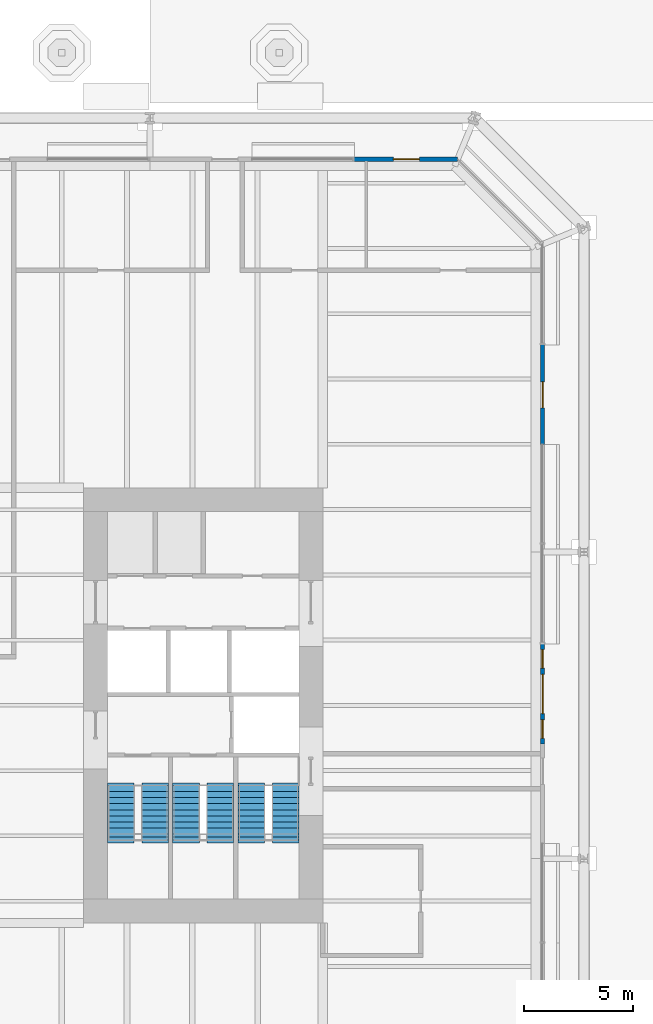
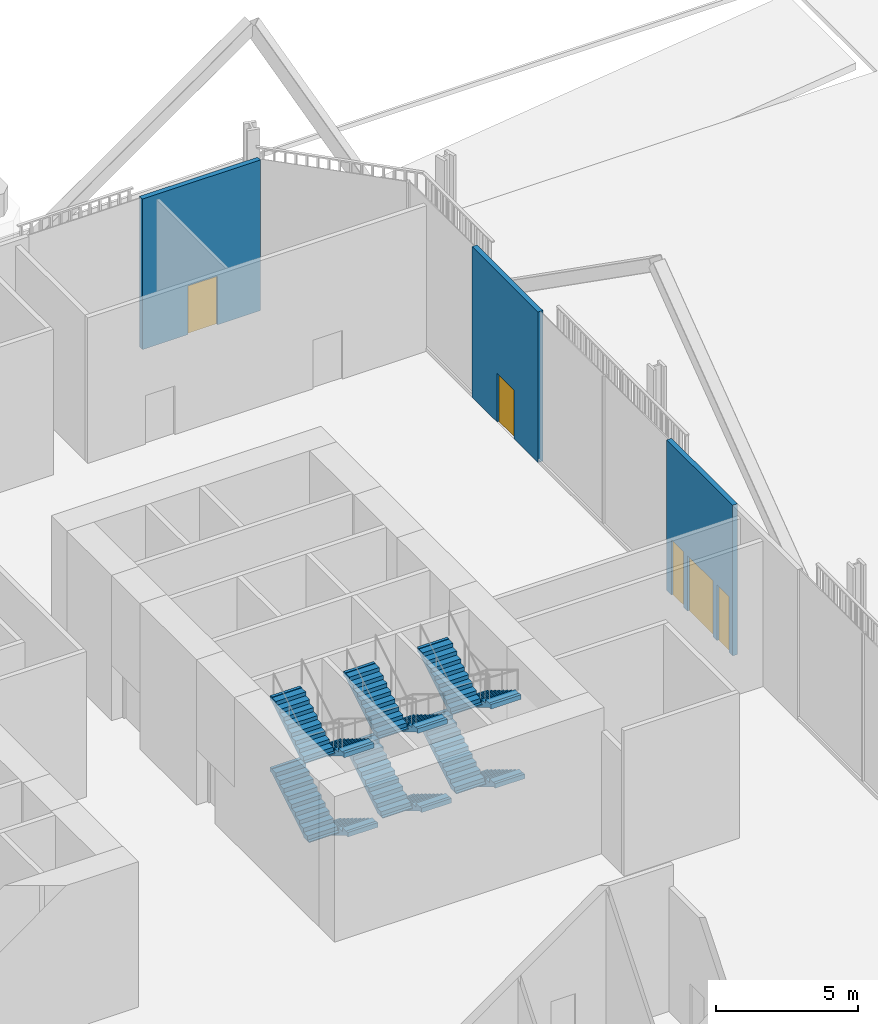
# One storey, part 18 of 28: 12 stair flights, 3 doors, 3 walls, 2 windows, 5 openings, 3 elements without a shape of their own.
"""IFC4 building model written with IfcOpenShell, lengths in metres."""

from ifc_helpers import new_model, si_unit, direction, frame, frame_2d, origin, place, context, subcontext, project, spatial, polyline, rectangle, outline, extrude, material, layer, layer_set, type_object, element, fill, aggregate, save


model = new_model("IFC4")

# Units and contexts
model_context = context("Model", 3, precision=1e-05, world=origin(), true_north=direction((0.0, 1.0)))
body_context = subcontext(model_context, "Body", "Model", "MODEL_VIEW")
ifc_project = project(units=[si_unit("LENGTHUNIT", "METRE"), si_unit("AREAUNIT", "SQUARE_METRE"), si_unit("VOLUMEUNIT", "CUBIC_METRE"), si_unit("PLANEANGLEUNIT", "RADIAN"), si_unit("MASSUNIT", "GRAM", prefix="KILO")], contexts=[model_context])

# Site, building, storey
site_placement = place(None, origin())
site = spatial("IfcSite", under=ifc_project, at=site_placement, CompositionType="ELEMENT")
building_placement = place(site_placement, origin())
building = spatial("IfcBuilding", under=site, at=building_placement, Name="Millrace Tower", CompositionType="ELEMENT")
storey_placement = place(building_placement, origin())
storey = spatial("IfcBuildingStorey", under=building, at=storey_placement, Name="L01", CompositionType="ELEMENT", Elevation=0.0)

# Wall, openings, windows, door
ifc_material_1 = material(Name="Aluminium framed glazing", Category="aluminium")
ifc_layer = layer(ifc_material_1, 0.199951171875)
ifc_layer_set = layer_set([ifc_layer], Name="Aluminium framed glazing")
wall_type = type_object("IfcWallType", Name="Entrance infill wall 200 thick", PredefinedType="STANDARD", material=ifc_layer_set)
wall_1_placement = place(storey_placement, frame((25.10009765625, -1.7666015625, 0.0), z_axis=(0.0, 0.0, 1.0), x_axis=(0.0, 1.0, 0.0)))
wall_1 = element("IfcWall", 1, at=wall_1_placement, inside=storey, type_object=wall_type, Name="Entrance infill wall AW1-F02 11", PredefinedType="STANDARD", context=body_context, shape_type="SweptSolid", body=[
    extrude(rectangle(XDim=4.658203125, YDim=0.199951171875, at=frame_2d((2.3291015625, 0.0))), origin(), (0.0, 0.0, 1.0), 6.5),
])
opening_1_placement = place(wall_1_placement, frame((1.3916015625, 0.0, 0.0)))
opening_1 = element("IfcOpeningElement", 2, at=opening_1_placement, cuts=wall_1, Name="Opening 01-X006", PredefinedType="OPENING", context=body_context, shape_type="SweptSolid", body=[
    extrude(rectangle(XDim=1.800048828125, YDim=2.39990234375, at=frame_2d((0.89990234375, 1.199951171875))), frame((0.0, 0.10986328125, 0.0), z_axis=(0.0, -1.0, 0.0), x_axis=(1.0, 0.0, 0.0)), (0.0, 0.0, 1.0), 0.219970703125),
])
opening_2_placement = place(wall_1_placement, frame((0.25, 0.0, 0.0)))
opening_2 = element("IfcOpeningElement", 3, at=opening_2_placement, cuts=wall_1, Name="Opening WN1", PredefinedType="OPENING", context=body_context, shape_type="SweptSolid", body=[
    extrude(rectangle(XDim=0.85009765625, YDim=2.39990234375, at=frame_2d((0.425048828125, 1.199951171875))), frame((0.0, 0.10986328125, 0.0), z_axis=(0.0, -1.0, 0.0), x_axis=(1.0, 0.0, 0.0)), (0.0, 0.0, 1.0), 0.219970703125),
])
opening_3_placement = place(wall_1_placement, frame((3.4833984375, 0.0, 0.0)))
opening_3 = element("IfcOpeningElement", 4, at=opening_3_placement, cuts=wall_1, Name="Opening WN1", PredefinedType="OPENING", context=body_context, shape_type="SweptSolid", body=[
    extrude(rectangle(XDim=0.85009765625, YDim=2.39990234375, at=frame_2d((0.425048828125, 1.199951171875))), frame((0.0, 0.10986328125, 0.0), z_axis=(0.0, -1.0, 0.0), x_axis=(1.0, 0.0, 0.0)), (0.0, 0.0, 1.0), 0.219970703125),
])
ifc_material_2 = material(Name="Aluminium and laminated glass", Category="aluminium")
window_type = type_object("IfcWindowType", Name="Entrance sidelight window 850 x 2400", PartitioningType="SINGLE_PANEL", PredefinedType="WINDOW", material=ifc_material_2)
window_1_placement = place(opening_2_placement, origin())
window_1 = element("IfcWindow", 5, at=window_1_placement, inside=storey, type_object=window_type, Name="Entrance sidelight window AW1-F02.11 W", OverallHeight=2.39990234375, OverallWidth=0.85009765625, PartitioningType="SINGLE_PANEL", PredefinedType="WINDOW", context=body_context, shape_type="SweptSolid", body=[
    extrude(rectangle(XDim=0.85009765625, YDim=2.39990234375, at=frame_2d((0.425048828125, 1.199951171875))), frame((0.0, 0.030029296875, 0.0), z_axis=(0.0, -1.0, 0.0), x_axis=(1.0, 0.0, 0.0)), (0.0, 0.0, 1.0), 0.06005859375),
])
fill(opening_2, window_1)
window_2_placement = place(opening_3_placement, origin())
window_2 = element("IfcWindow", 6, at=window_2_placement, inside=storey, type_object=window_type, Name="Entrance sidelight window AW1-F02.11 E", OverallHeight=2.39990234375, OverallWidth=0.85009765625, PartitioningType="SINGLE_PANEL", PredefinedType="WINDOW", context=body_context, shape_type="SweptSolid", body=[
    extrude(rectangle(XDim=0.85009765625, YDim=2.39990234375, at=frame_2d((0.425048828125, 1.199951171875))), frame((0.0, 0.030029296875, 0.0), z_axis=(0.0, -1.0, 0.0), x_axis=(1.0, 0.0, 0.0)), (0.0, 0.0, 1.0), 0.06005859375),
])
fill(opening_3, window_2)
ifc_material_3 = material(Name="Aluminium and glass", Category="aluminium")
door_type_1 = type_object("IfcDoorType", Name="Main entrance double door", OperationType="DOUBLE_DOOR_DOUBLE_SWING", PredefinedType="DOOR", material=ifc_material_3)
door_1_placement = place(opening_1_placement, frame((1.800048828125, 0.0, 0.0), z_axis=(0.0, 0.0, 1.0), x_axis=(-1.0, 0.0, 0.0)))
door_1 = element("IfcDoor", 7, at=door_1_placement, inside=storey, type_object=door_type_1, Name="01-X006", OperationType="DOUBLE_DOOR_DOUBLE_SWING", OverallHeight=2.39990234375, OverallWidth=1.800048828125, PredefinedType="DOOR", context=body_context, shape_type="SweptSolid", body=[
    extrude(rectangle(XDim=1.800048828125, YDim=2.39990234375, at=frame_2d((0.89990234375, 1.199951171875))), frame((0.0, 0.02490234375, 0.0), z_axis=(0.0, -1.0, 0.0), x_axis=(1.0, 0.0, 0.0)), (0.0, 0.0, 1.0), 0.050048828125),
])
fill(opening_1, door_1)

# Wall, opening, door
wall_2_placement = place(storey_placement, frame((25.10009765625, 11.9833984375, 0.0), z_axis=(0.0, 0.0, 1.0), x_axis=(0.0, 1.0, 0.0)))
wall_2 = element("IfcWall", 8, at=wall_2_placement, inside=storey, type_object=wall_type, Name="Entrance infill wall AW1-F02 14", PredefinedType="STANDARD", context=body_context, shape_type="SweptSolid", body=[
    extrude(rectangle(XDim=4.658203125, YDim=0.199951171875, at=frame_2d((2.3291015625, 0.0))), origin(), (0.0, 0.0, 1.0), 6.5),
])
opening_4_placement = place(wall_2_placement, frame((1.691650390625, 0.0, 0.0)))
opening_4 = element("IfcOpeningElement", 9, at=opening_4_placement, cuts=wall_2, Name="Opening 01-X007", PredefinedType="OPENING", context=body_context, shape_type="SweptSolid", body=[
    extrude(rectangle(XDim=1.199951171875, YDim=2.10009765625, at=frame_2d((0.60009765625, 1.050048828125))), frame((0.0, 0.10986328125, 0.0), z_axis=(0.0, -1.0, 0.0), x_axis=(1.0, 0.0, 0.0)), (0.0, 0.0, 1.0), 0.219970703125),
])
ifc_material_4 = material(Name="Steel", Category="steel")
door_type_2 = type_object("IfcDoorType", Name="Exit door to the plaza", OperationType="SINGLE_SWING_RIGHT", PredefinedType="DOOR", material=ifc_material_4)
door_2_placement = place(opening_4_placement, frame((1.199951171875, 0.0, 0.0), z_axis=(0.0, 0.0, 1.0), x_axis=(-1.0, 0.0, 0.0)))
door_2 = element("IfcDoor", 10, at=door_2_placement, inside=storey, type_object=door_type_2, Name="01-X007", OperationType="SINGLE_SWING_RIGHT", OverallHeight=2.10009765625, OverallWidth=1.199951171875, PredefinedType="DOOR", context=body_context, shape_type="SweptSolid", body=[
    extrude(rectangle(XDim=1.199951171875, YDim=2.10009765625, at=frame_2d((0.60009765625, 1.050048828125))), frame((0.0, 0.02490234375, 0.0), z_axis=(0.0, -1.0, 0.0), x_axis=(1.0, 0.0, 0.0)), (0.0, 0.0, 1.0), 0.050048828125),
])
fill(opening_4, door_2)

wall_3_placement = place(storey_placement, frame((21.19140625, 25.10009765625, 0.0), z_axis=(0.0, 0.0, 1.0), x_axis=(-1.0, 0.0, 0.0)))
wall_3 = element("IfcWall", 11, at=wall_3_placement, inside=storey, type_object=wall_type, Name="Entrance infill wall AW1-F04 1", PredefinedType="STANDARD", context=body_context, shape_type="SweptSolid", body=[
    extrude(rectangle(XDim=4.81640625, YDim=0.199951171875, at=frame_2d((2.408203125, 0.0))), origin(), (0.0, 0.0, 1.0), 6.5),
])
opening_5_placement = place(wall_3_placement, frame((1.75, 0.0, 0.0)))
opening_5 = element("IfcOpeningElement", 12, at=opening_5_placement, cuts=wall_3, Name="Opening 01-X008", PredefinedType="OPENING", context=body_context, shape_type="SweptSolid", body=[
    extrude(rectangle(XDim=1.199951171875, YDim=2.10009765625, at=frame_2d((0.60009765625, 1.050048828125))), frame((0.0, 0.10986328125, 0.0), z_axis=(0.0, -1.0, 0.0), x_axis=(1.0, 0.0, 0.0)), (0.0, 0.0, 1.0), 0.219970703125),
])
ifc_material_5 = material(Name="Steel", Category="steel")
door_type_3 = type_object("IfcDoorType", Name="Service exit door", OperationType="SINGLE_SWING_RIGHT", PredefinedType="DOOR", material=ifc_material_5)
door_3_placement = place(opening_5_placement, frame((1.199951171875, 0.0, 0.0), z_axis=(0.0, 0.0, 1.0), x_axis=(-1.0, 0.0, 0.0)))
door_3 = element("IfcDoor", 13, at=door_3_placement, inside=storey, type_object=door_type_3, Name="01-X008", OperationType="SINGLE_SWING_RIGHT", OverallHeight=2.10009765625, OverallWidth=1.199951171875, PredefinedType="DOOR", context=body_context, shape_type="SweptSolid", body=[
    extrude(rectangle(XDim=1.199951171875, YDim=2.10009765625, at=frame_2d((0.60009765625, 1.050048828125))), frame((0.0, 0.02490234375, 0.0), z_axis=(0.0, -1.0, 0.0), x_axis=(1.0, 0.0, 0.0)), (0.0, 0.0, 1.0), 0.050048828125),
])
fill(opening_5, door_3)

# Stair, stair flights
ifc_material_6 = material(Name="Concrete C35", Category="concrete")
stair_type = type_object("IfcStairType", Name="Exit stair", PredefinedType="HALF_TURN_STAIR", material=ifc_material_6)
placement = place(storey_placement, origin())
stair_1 = element("IfcStair", 14, at=placement, inside=storey, type_object=stair_type, Name="Stair 1 E L01", PredefinedType="HALF_TURN_STAIR")
ifc_material_7 = material(Name="Concrete C35", Category="concrete")
stair_flight_type = type_object("IfcStairFlightType", Name="Exit stair flight", PredefinedType="STRAIGHT", material=ifc_material_7)
stair_flight_1_placement = place(storey_placement, frame((13.2900390625, -3.679931640625, 0.0), z_axis=(0.0, 0.0, 1.0), x_axis=(0.0, -1.0, 0.0)))
stair_flight_1 = element("IfcStairFlight", 15, at=stair_flight_1_placement, type_object=stair_flight_type, Name="ST12 flight 1", NumberOfRisers=10, NumberOfTreads=9, PredefinedType="STRAIGHT", RiserHeight=0.171052632, TreadLength=0.28, context=body_context, shape_type="SweptSolid", body=[
    extrude(outline(polyline([(-0.1201171875, -0.0400390625), (-0.1201171875, 0.0), (0.0, 0.0), (0.0, 0.171142578125), (0.280029296875, 0.171142578125), (0.280029296875, 0.342041015625), (0.56005859375, 0.342041015625), (0.56005859375, 0.51318359375), (0.840087890625, 0.51318359375), (0.840087890625, 0.684326171875), (1.1201171875, 0.684326171875), (1.1201171875, 0.855224609375), (1.39990234375, 0.855224609375), (1.39990234375, 1.0263671875), (1.679931640625, 1.0263671875), (1.679931640625, 1.197265625), (1.9599609375, 1.197265625), (1.9599609375, 1.368408203125), (2.239990234375, 1.368408203125), (2.239990234375, 1.53955078125), (2.52001953125, 1.53955078125), (2.52001953125, 1.5595703125), (2.639892578125, 1.5595703125), (2.639892578125, 1.36376953125), (2.52001953125, 1.36376953125), (0.28759765625, 0.0), (0.28759765625, -0.0400390625), (-0.1201171875, -0.0400390625)])), frame((0.0, 0.60986328125, 0.0), z_axis=(0.0, -1.0, 0.0), x_axis=(1.0, 0.0, 0.0)), (0.0, 0.0, 1.0), 1.219970703125),
])
stair_flight_2_placement = place(storey_placement, frame((11.7099609375, -6.199951171875, 1.71044921875), z_axis=(0.0, 0.0, 1.0), x_axis=(0.0, 1.0, 0.0)))
stair_flight_2 = element("IfcStairFlight", 16, at=stair_flight_2_placement, type_object=stair_flight_type, Name="ST12 flight 2", NumberOfRisers=10, NumberOfTreads=9, PredefinedType="STRAIGHT", RiserHeight=0.171052632, TreadLength=0.28, context=body_context, shape_type="SweptSolid", body=[
    extrude(outline(polyline([(-0.1201171875, -0.0400390625), (-0.1201171875, 0.0), (0.0, 0.0), (0.0, 0.171142578125), (0.280029296875, 0.171142578125), (0.280029296875, 0.342041015625), (0.56005859375, 0.342041015625), (0.56005859375, 0.51318359375), (0.840087890625, 0.51318359375), (0.840087890625, 0.684326171875), (1.1201171875, 0.684326171875), (1.1201171875, 0.855224609375), (1.39990234375, 0.855224609375), (1.39990234375, 1.0263671875), (1.679931640625, 1.0263671875), (1.679931640625, 1.197265625), (1.9599609375, 1.197265625), (1.9599609375, 1.368408203125), (2.239990234375, 1.368408203125), (2.239990234375, 1.53955078125), (2.52001953125, 1.53955078125), (2.52001953125, 1.5595703125), (2.639892578125, 1.5595703125), (2.639892578125, 1.36376953125), (2.52001953125, 1.36376953125), (0.28759765625, 0.0), (0.28759765625, -0.0400390625), (-0.1201171875, -0.0400390625)])), frame((0.0, 0.60986328125, 0.0), z_axis=(0.0, -1.0, 0.0), x_axis=(1.0, 0.0, 0.0)), (0.0, 0.0, 1.0), 1.219970703125),
])
stair_flight_3_placement = place(storey_placement, frame((13.2900390625, -3.679931640625, 3.421142578125), z_axis=(0.0, 0.0, 1.0), x_axis=(0.0, -1.0, 0.0)))
stair_flight_3 = element("IfcStairFlight", 17, at=stair_flight_3_placement, type_object=stair_flight_type, Name="ST12 flight 3", NumberOfRisers=9, NumberOfTreads=8, PredefinedType="STRAIGHT", RiserHeight=0.171052632, TreadLength=0.28, context=body_context, shape_type="SweptSolid", body=[
    extrude(outline(polyline([(-0.1201171875, -0.0400390625), (-0.1201171875, 0.0), (0.0, 0.0), (0.0, 0.171142578125), (0.280029296875, 0.171142578125), (0.280029296875, 0.342041015625), (0.56005859375, 0.342041015625), (0.56005859375, 0.51318359375), (0.840087890625, 0.51318359375), (0.840087890625, 0.684326171875), (1.1201171875, 0.684326171875), (1.1201171875, 0.855224609375), (1.39990234375, 0.855224609375), (1.39990234375, 1.0263671875), (1.679931640625, 1.0263671875), (1.679931640625, 1.197265625), (1.9599609375, 1.197265625), (1.9599609375, 1.368408203125), (2.239990234375, 1.368408203125), (2.239990234375, 1.388427734375), (2.360107421875, 1.388427734375), (2.360107421875, 1.19287109375), (2.239990234375, 1.19287109375), (0.28759765625, 0.0), (0.28759765625, -0.0400390625), (-0.1201171875, -0.0400390625)])), frame((0.0, 0.60986328125, 0.0), z_axis=(0.0, -1.0, 0.0), x_axis=(1.0, 0.0, 0.0)), (0.0, 0.0, 1.0), 1.219970703125),
])
stair_flight_4_placement = place(storey_placement, frame((11.7099609375, -5.919921875, 4.96044921875), z_axis=(0.0, 0.0, 1.0), x_axis=(0.0, 1.0, 0.0)))
stair_flight_4 = element("IfcStairFlight", 18, at=stair_flight_4_placement, type_object=stair_flight_type, Name="ST12 flight 4", NumberOfRisers=9, NumberOfTreads=8, PredefinedType="STRAIGHT", RiserHeight=0.171052632, TreadLength=0.28, context=body_context, shape_type="SweptSolid", body=[
    extrude(outline(polyline([(-0.1201171875, -0.0400390625), (-0.1201171875, 0.0), (0.0, 0.0), (0.0, 0.171142578125), (0.280029296875, 0.171142578125), (0.280029296875, 0.342041015625), (0.56005859375, 0.342041015625), (0.56005859375, 0.51318359375), (0.840087890625, 0.51318359375), (0.840087890625, 0.684326171875), (1.1201171875, 0.684326171875), (1.1201171875, 0.855224609375), (1.39990234375, 0.855224609375), (1.39990234375, 1.0263671875), (1.679931640625, 1.0263671875), (1.679931640625, 1.197265625), (1.9599609375, 1.197265625), (1.9599609375, 1.368408203125), (2.239990234375, 1.368408203125), (2.239990234375, 1.388427734375), (2.360107421875, 1.388427734375), (2.360107421875, 1.19287109375), (2.239990234375, 1.19287109375), (0.28759765625, 0.0), (0.28759765625, -0.0400390625), (-0.1201171875, -0.0400390625)])), frame((0.0, 0.60986328125, 0.0), z_axis=(0.0, -1.0, 0.0), x_axis=(1.0, 0.0, 0.0)), (0.0, 0.0, 1.0), 1.219970703125),
])
aggregate(stair_1, [stair_flight_1, stair_flight_2, stair_flight_3, stair_flight_4])

stair_2 = element("IfcStair", 19, at=placement, inside=storey, type_object=stair_type, Name="Stair 2 E L01", PredefinedType="HALF_TURN_STAIR")
stair_flight_5_placement = place(storey_placement, frame((10.2900390625, -3.679931640625, 0.0), z_axis=(0.0, 0.0, 1.0), x_axis=(0.0, -1.0, 0.0)))
stair_flight_5 = element("IfcStairFlight", 20, at=stair_flight_5_placement, type_object=stair_flight_type, Name="ST12 flight 1", NumberOfRisers=10, NumberOfTreads=9, PredefinedType="STRAIGHT", RiserHeight=0.171052632, TreadLength=0.28, context=body_context, shape_type="SweptSolid", body=[
    extrude(outline(polyline([(-0.1201171875, -0.0400390625), (-0.1201171875, 0.0), (0.0, 0.0), (0.0, 0.171142578125), (0.280029296875, 0.171142578125), (0.280029296875, 0.342041015625), (0.56005859375, 0.342041015625), (0.56005859375, 0.51318359375), (0.840087890625, 0.51318359375), (0.840087890625, 0.684326171875), (1.1201171875, 0.684326171875), (1.1201171875, 0.855224609375), (1.39990234375, 0.855224609375), (1.39990234375, 1.0263671875), (1.679931640625, 1.0263671875), (1.679931640625, 1.197265625), (1.9599609375, 1.197265625), (1.9599609375, 1.368408203125), (2.239990234375, 1.368408203125), (2.239990234375, 1.53955078125), (2.52001953125, 1.53955078125), (2.52001953125, 1.5595703125), (2.639892578125, 1.5595703125), (2.639892578125, 1.36376953125), (2.52001953125, 1.36376953125), (0.28759765625, 0.0), (0.28759765625, -0.0400390625), (-0.1201171875, -0.0400390625)])), frame((0.0, 0.60986328125, 0.0), z_axis=(0.0, -1.0, 0.0), x_axis=(1.0, 0.0, 0.0)), (0.0, 0.0, 1.0), 1.219970703125),
])
stair_flight_6_placement = place(storey_placement, frame((8.7099609375, -6.199951171875, 1.71044921875), z_axis=(0.0, 0.0, 1.0), x_axis=(0.0, 1.0, 0.0)))
stair_flight_6 = element("IfcStairFlight", 21, at=stair_flight_6_placement, type_object=stair_flight_type, Name="ST12 flight 2", NumberOfRisers=10, NumberOfTreads=9, PredefinedType="STRAIGHT", RiserHeight=0.171052632, TreadLength=0.28, context=body_context, shape_type="SweptSolid", body=[
    extrude(outline(polyline([(-0.1201171875, -0.0400390625), (-0.1201171875, 0.0), (0.0, 0.0), (0.0, 0.171142578125), (0.280029296875, 0.171142578125), (0.280029296875, 0.342041015625), (0.56005859375, 0.342041015625), (0.56005859375, 0.51318359375), (0.840087890625, 0.51318359375), (0.840087890625, 0.684326171875), (1.1201171875, 0.684326171875), (1.1201171875, 0.855224609375), (1.39990234375, 0.855224609375), (1.39990234375, 1.0263671875), (1.679931640625, 1.0263671875), (1.679931640625, 1.197265625), (1.9599609375, 1.197265625), (1.9599609375, 1.368408203125), (2.239990234375, 1.368408203125), (2.239990234375, 1.53955078125), (2.52001953125, 1.53955078125), (2.52001953125, 1.5595703125), (2.639892578125, 1.5595703125), (2.639892578125, 1.36376953125), (2.52001953125, 1.36376953125), (0.28759765625, 0.0), (0.28759765625, -0.0400390625), (-0.1201171875, -0.0400390625)])), frame((0.0, 0.60986328125, 0.0), z_axis=(0.0, -1.0, 0.0), x_axis=(1.0, 0.0, 0.0)), (0.0, 0.0, 1.0), 1.219970703125),
])
stair_flight_7_placement = place(storey_placement, frame((10.2900390625, -3.679931640625, 3.421142578125), z_axis=(0.0, 0.0, 1.0), x_axis=(0.0, -1.0, 0.0)))
stair_flight_7 = element("IfcStairFlight", 22, at=stair_flight_7_placement, type_object=stair_flight_type, Name="ST12 flight 3", NumberOfRisers=9, NumberOfTreads=8, PredefinedType="STRAIGHT", RiserHeight=0.171052632, TreadLength=0.28, context=body_context, shape_type="SweptSolid", body=[
    extrude(outline(polyline([(-0.1201171875, -0.0400390625), (-0.1201171875, 0.0), (0.0, 0.0), (0.0, 0.171142578125), (0.280029296875, 0.171142578125), (0.280029296875, 0.342041015625), (0.56005859375, 0.342041015625), (0.56005859375, 0.51318359375), (0.840087890625, 0.51318359375), (0.840087890625, 0.684326171875), (1.1201171875, 0.684326171875), (1.1201171875, 0.855224609375), (1.39990234375, 0.855224609375), (1.39990234375, 1.0263671875), (1.679931640625, 1.0263671875), (1.679931640625, 1.197265625), (1.9599609375, 1.197265625), (1.9599609375, 1.368408203125), (2.239990234375, 1.368408203125), (2.239990234375, 1.388427734375), (2.360107421875, 1.388427734375), (2.360107421875, 1.19287109375), (2.239990234375, 1.19287109375), (0.28759765625, 0.0), (0.28759765625, -0.0400390625), (-0.1201171875, -0.0400390625)])), frame((0.0, 0.60986328125, 0.0), z_axis=(0.0, -1.0, 0.0), x_axis=(1.0, 0.0, 0.0)), (0.0, 0.0, 1.0), 1.219970703125),
])
stair_flight_8_placement = place(storey_placement, frame((8.7099609375, -5.919921875, 4.96044921875), z_axis=(0.0, 0.0, 1.0), x_axis=(0.0, 1.0, 0.0)))
stair_flight_8 = element("IfcStairFlight", 23, at=stair_flight_8_placement, type_object=stair_flight_type, Name="ST12 flight 4", NumberOfRisers=9, NumberOfTreads=8, PredefinedType="STRAIGHT", RiserHeight=0.171052632, TreadLength=0.28, context=body_context, shape_type="SweptSolid", body=[
    extrude(outline(polyline([(-0.1201171875, -0.0400390625), (-0.1201171875, 0.0), (0.0, 0.0), (0.0, 0.171142578125), (0.280029296875, 0.171142578125), (0.280029296875, 0.342041015625), (0.56005859375, 0.342041015625), (0.56005859375, 0.51318359375), (0.840087890625, 0.51318359375), (0.840087890625, 0.684326171875), (1.1201171875, 0.684326171875), (1.1201171875, 0.855224609375), (1.39990234375, 0.855224609375), (1.39990234375, 1.0263671875), (1.679931640625, 1.0263671875), (1.679931640625, 1.197265625), (1.9599609375, 1.197265625), (1.9599609375, 1.368408203125), (2.239990234375, 1.368408203125), (2.239990234375, 1.388427734375), (2.360107421875, 1.388427734375), (2.360107421875, 1.19287109375), (2.239990234375, 1.19287109375), (0.28759765625, 0.0), (0.28759765625, -0.0400390625), (-0.1201171875, -0.0400390625)])), frame((0.0, 0.60986328125, 0.0), z_axis=(0.0, -1.0, 0.0), x_axis=(1.0, 0.0, 0.0)), (0.0, 0.0, 1.0), 1.219970703125),
])
aggregate(stair_2, [stair_flight_5, stair_flight_6, stair_flight_7, stair_flight_8])

stair_3 = element("IfcStair", 24, at=placement, inside=storey, type_object=stair_type, Name="Stair 3 E L01", PredefinedType="HALF_TURN_STAIR")
stair_flight_9_placement = place(storey_placement, frame((7.2900390625, -3.679931640625, 0.0), z_axis=(0.0, 0.0, 1.0), x_axis=(0.0, -1.0, 0.0)))
stair_flight_9 = element("IfcStairFlight", 25, at=stair_flight_9_placement, type_object=stair_flight_type, Name="ST12 flight 1", NumberOfRisers=10, NumberOfTreads=9, PredefinedType="STRAIGHT", RiserHeight=0.171052632, TreadLength=0.28, context=body_context, shape_type="SweptSolid", body=[
    extrude(outline(polyline([(-0.1201171875, -0.0400390625), (-0.1201171875, 0.0), (0.0, 0.0), (0.0, 0.171142578125), (0.280029296875, 0.171142578125), (0.280029296875, 0.342041015625), (0.56005859375, 0.342041015625), (0.56005859375, 0.51318359375), (0.840087890625, 0.51318359375), (0.840087890625, 0.684326171875), (1.1201171875, 0.684326171875), (1.1201171875, 0.855224609375), (1.39990234375, 0.855224609375), (1.39990234375, 1.0263671875), (1.679931640625, 1.0263671875), (1.679931640625, 1.197265625), (1.9599609375, 1.197265625), (1.9599609375, 1.368408203125), (2.239990234375, 1.368408203125), (2.239990234375, 1.53955078125), (2.52001953125, 1.53955078125), (2.52001953125, 1.5595703125), (2.639892578125, 1.5595703125), (2.639892578125, 1.36376953125), (2.52001953125, 1.36376953125), (0.28759765625, 0.0), (0.28759765625, -0.0400390625), (-0.1201171875, -0.0400390625)])), frame((0.0, 0.60986328125, 0.0), z_axis=(0.0, -1.0, 0.0), x_axis=(1.0, 0.0, 0.0)), (0.0, 0.0, 1.0), 1.219970703125),
])
stair_flight_10_placement = place(storey_placement, frame((5.7099609375, -6.199951171875, 1.71044921875), z_axis=(0.0, 0.0, 1.0), x_axis=(0.0, 1.0, 0.0)))
stair_flight_10 = element("IfcStairFlight", 26, at=stair_flight_10_placement, type_object=stair_flight_type, Name="ST12 flight 2", NumberOfRisers=10, NumberOfTreads=9, PredefinedType="STRAIGHT", RiserHeight=0.171052632, TreadLength=0.28, context=body_context, shape_type="SweptSolid", body=[
    extrude(outline(polyline([(-0.1201171875, -0.0400390625), (-0.1201171875, 0.0), (0.0, 0.0), (0.0, 0.171142578125), (0.280029296875, 0.171142578125), (0.280029296875, 0.342041015625), (0.56005859375, 0.342041015625), (0.56005859375, 0.51318359375), (0.840087890625, 0.51318359375), (0.840087890625, 0.684326171875), (1.1201171875, 0.684326171875), (1.1201171875, 0.855224609375), (1.39990234375, 0.855224609375), (1.39990234375, 1.0263671875), (1.679931640625, 1.0263671875), (1.679931640625, 1.197265625), (1.9599609375, 1.197265625), (1.9599609375, 1.368408203125), (2.239990234375, 1.368408203125), (2.239990234375, 1.53955078125), (2.52001953125, 1.53955078125), (2.52001953125, 1.5595703125), (2.639892578125, 1.5595703125), (2.639892578125, 1.36376953125), (2.52001953125, 1.36376953125), (0.28759765625, 0.0), (0.28759765625, -0.0400390625), (-0.1201171875, -0.0400390625)])), frame((0.0, 0.60986328125, 0.0), z_axis=(0.0, -1.0, 0.0), x_axis=(1.0, 0.0, 0.0)), (0.0, 0.0, 1.0), 1.219970703125),
])
stair_flight_11_placement = place(storey_placement, frame((7.2900390625, -3.679931640625, 3.421142578125), z_axis=(0.0, 0.0, 1.0), x_axis=(0.0, -1.0, 0.0)))
stair_flight_11 = element("IfcStairFlight", 27, at=stair_flight_11_placement, type_object=stair_flight_type, Name="ST12 flight 3", NumberOfRisers=9, NumberOfTreads=8, PredefinedType="STRAIGHT", RiserHeight=0.171052632, TreadLength=0.28, context=body_context, shape_type="SweptSolid", body=[
    extrude(outline(polyline([(-0.1201171875, -0.0400390625), (-0.1201171875, 0.0), (0.0, 0.0), (0.0, 0.171142578125), (0.280029296875, 0.171142578125), (0.280029296875, 0.342041015625), (0.56005859375, 0.342041015625), (0.56005859375, 0.51318359375), (0.840087890625, 0.51318359375), (0.840087890625, 0.684326171875), (1.1201171875, 0.684326171875), (1.1201171875, 0.855224609375), (1.39990234375, 0.855224609375), (1.39990234375, 1.0263671875), (1.679931640625, 1.0263671875), (1.679931640625, 1.197265625), (1.9599609375, 1.197265625), (1.9599609375, 1.368408203125), (2.239990234375, 1.368408203125), (2.239990234375, 1.388427734375), (2.360107421875, 1.388427734375), (2.360107421875, 1.19287109375), (2.239990234375, 1.19287109375), (0.28759765625, 0.0), (0.28759765625, -0.0400390625), (-0.1201171875, -0.0400390625)])), frame((0.0, 0.60986328125, 0.0), z_axis=(0.0, -1.0, 0.0), x_axis=(1.0, 0.0, 0.0)), (0.0, 0.0, 1.0), 1.219970703125),
])
stair_flight_12_placement = place(storey_placement, frame((5.7099609375, -5.919921875, 4.96044921875), z_axis=(0.0, 0.0, 1.0), x_axis=(0.0, 1.0, 0.0)))
stair_flight_12 = element("IfcStairFlight", 28, at=stair_flight_12_placement, type_object=stair_flight_type, Name="ST12 flight 4", NumberOfRisers=9, NumberOfTreads=8, PredefinedType="STRAIGHT", RiserHeight=0.171052632, TreadLength=0.28, context=body_context, shape_type="SweptSolid", body=[
    extrude(outline(polyline([(-0.1201171875, -0.0400390625), (-0.1201171875, 0.0), (0.0, 0.0), (0.0, 0.171142578125), (0.280029296875, 0.171142578125), (0.280029296875, 0.342041015625), (0.56005859375, 0.342041015625), (0.56005859375, 0.51318359375), (0.840087890625, 0.51318359375), (0.840087890625, 0.684326171875), (1.1201171875, 0.684326171875), (1.1201171875, 0.855224609375), (1.39990234375, 0.855224609375), (1.39990234375, 1.0263671875), (1.679931640625, 1.0263671875), (1.679931640625, 1.197265625), (1.9599609375, 1.197265625), (1.9599609375, 1.368408203125), (2.239990234375, 1.368408203125), (2.239990234375, 1.388427734375), (2.360107421875, 1.388427734375), (2.360107421875, 1.19287109375), (2.239990234375, 1.19287109375), (0.28759765625, 0.0), (0.28759765625, -0.0400390625), (-0.1201171875, -0.0400390625)])), frame((0.0, 0.60986328125, 0.0), z_axis=(0.0, -1.0, 0.0), x_axis=(1.0, 0.0, 0.0)), (0.0, 0.0, 1.0), 1.219970703125),
])
aggregate(stair_3, [stair_flight_9, stair_flight_10, stair_flight_11, stair_flight_12])

save(model, "model.ifc")
